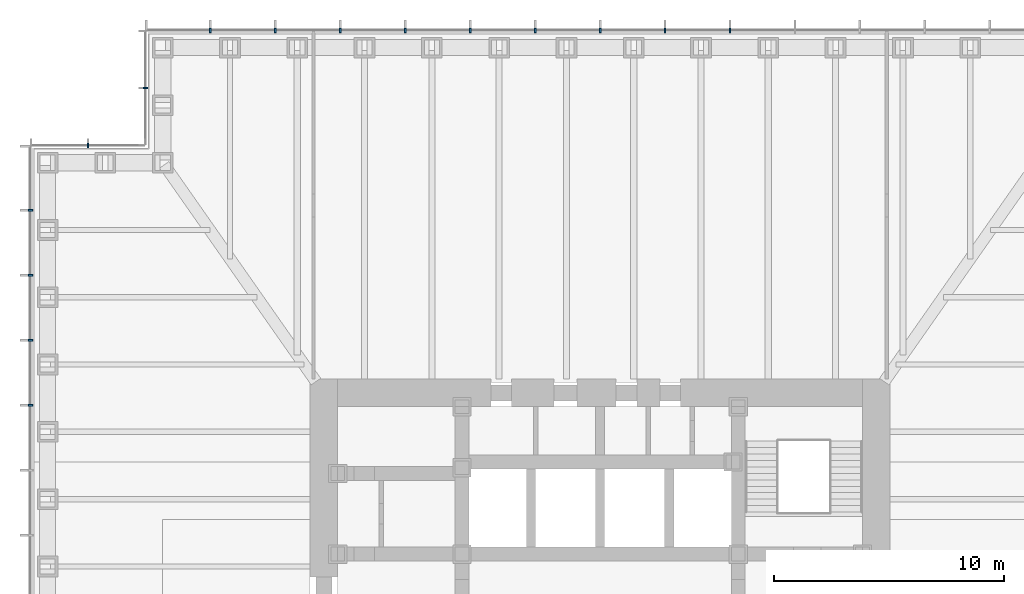
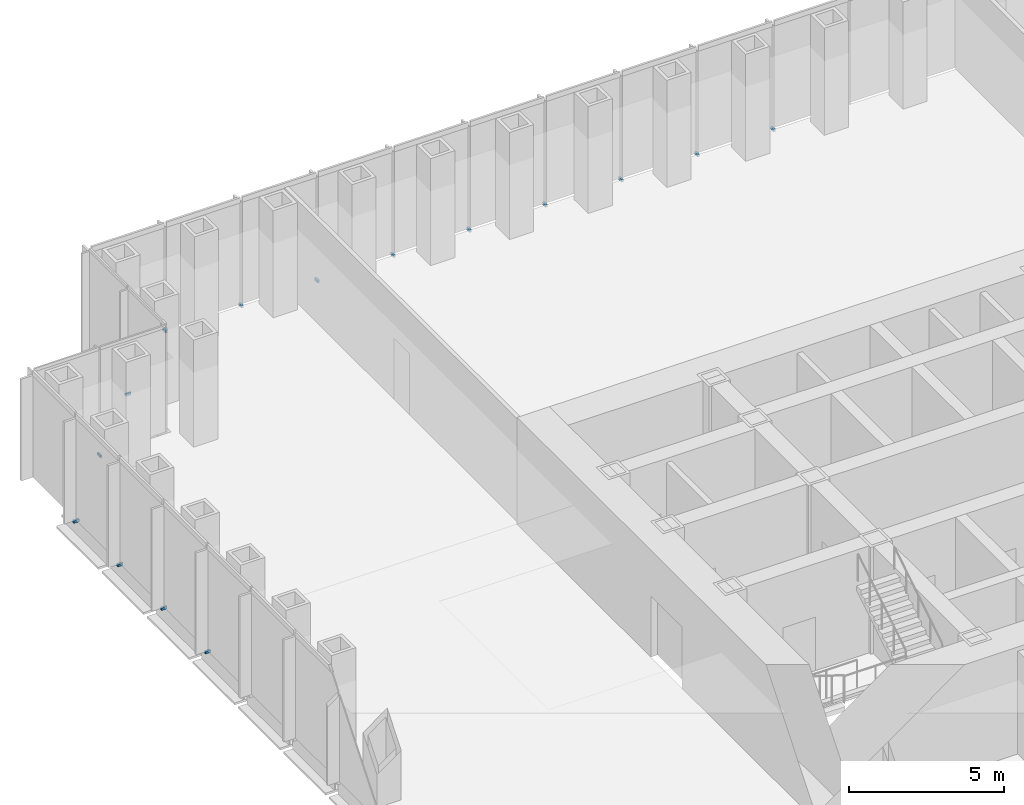
# One storey, part 14 of 16: 15 discrete accessories.
"""IFC4 building model written with IfcOpenShell, lengths in metres."""

from ifc_helpers import new_model, si_unit, direction, frame, origin, origin_2d, place, context, subcontext, project, spatial, rectangle, extrude, element, save


model = new_model("IFC4")

# Units and contexts
model_context = context("Model", 3, precision=1e-05, world=origin(), true_north=direction((0.0, 1.0)))
body_context = subcontext(model_context, "Body", "Model", "MODEL_VIEW")
ifc_project = project(units=[si_unit("LENGTHUNIT", "METRE"), si_unit("AREAUNIT", "SQUARE_METRE"), si_unit("VOLUMEUNIT", "CUBIC_METRE"), si_unit("PLANEANGLEUNIT", "RADIAN"), si_unit("MASSUNIT", "GRAM", prefix="KILO")], contexts=[model_context])

# Site, building, storey
site_placement = place(None, origin())
site = spatial("IfcSite", under=ifc_project, at=site_placement, CompositionType="ELEMENT")
building_placement = place(site_placement, origin())
building = spatial("IfcBuilding", under=site, at=building_placement, Name="Daluyong Arena Tower", CompositionType="ELEMENT")
storey_placement = place(building_placement, frame((0.0, 0.0, 72.699951171875)))
storey = spatial("IfcBuildingStorey", under=building, at=storey_placement, Name="L15", CompositionType="ELEMENT", Elevation=72.699951171875)

# Discrete accessories
for number, where, z_axis, x_axis, name in (
    (1, (61.642822265625, 104.75, -0.10009765625), (0.0, 0.0, 1.0), (-1.0, 0.0, 0.0), "curtain wall L15 N anchor bracket 6"),
    (2, (58.821533203125, 104.75, -0.10009765625), (0.0, 0.0, 1.0), (-1.0, 0.0, 0.0), "curtain wall L15 N anchor bracket 7"),
    (3, (56.0, 104.75, -0.10009765625), (0.0, 0.0, 1.0), (-1.0, 0.0, 0.0), "curtain wall L15 N anchor bracket 8"),
    (4, (53.178466796875, 104.75, -0.10009765625), (0.0, 0.0, 1.0), (-1.0, 0.0, 0.0), "curtain wall L15 N anchor bracket 9"),
    (5, (50.357177734375, 104.75, -0.10009765625), (0.0, 0.0, 1.0), (-1.0, 0.0, 0.0), "curtain wall L15 N anchor bracket 10"),
    (6, (47.53564453125, 104.75, -0.10009765625), (0.0, 0.0, 1.0), (-1.0, 0.0, 0.0), "curtain wall L15 N anchor bracket 11"),
    (7, (44.71435546875, 104.75, -0.10009765625), (0.0, 0.0, 1.0), (-1.0, 0.0, 0.0), "curtain wall L15 N anchor bracket 12"),
    (8, (41.892822265625, 104.75, -0.10009765625), (0.0, 0.0, 1.0), (-1.0, 0.0, 0.0), "curtain wall L15 N anchor bracket 13"),
    (9, (39.071533203125, 104.75, -0.10009765625), (0.0, 0.0, 1.0), (-1.0, 0.0, 0.0), "curtain wall L15 N anchor bracket 14"),
):
    element("IfcDiscreteAccessory", number, at=place(storey_placement, frame(where, z_axis=z_axis, x_axis=x_axis)), inside=storey, Name=name, PredefinedType="BRACKET", context=body_context, shape_type="SweptSolid", body=[
        extrude(rectangle(XDim=0.080078125, YDim=0.199951171875, at=origin_2d()), origin(), (0.0, 0.0, 1.0), 0.10009765625),
    ])
for number, where, z_axis, x_axis, name in (
    (10, (36.25, 102.25, -0.10009765625), (0.0, 0.0, 1.0), (0.0, -1.0, 0.0), "curtain wall L15 NW-W anchor bracket 2"),
    (11, (33.75, 99.75, -0.10009765625), (0.0, 0.0, 1.0), (-1.0, 0.0, 0.0), "curtain wall L15 NW-N anchor bracket 2"),
):
    element("IfcDiscreteAccessory", number, at=place(storey_placement, frame(where, z_axis=z_axis, x_axis=x_axis)), inside=storey, Name=name, PredefinedType="BRACKET", context=body_context, shape_type="SweptSolid", body=[
        extrude(rectangle(XDim=0.06005859375, YDim=0.199951171875, at=origin_2d()), origin(), (0.0, 0.0, 1.0), 0.10009765625),
    ])
for number, where, z_axis, x_axis, name in (
    (12, (31.25, 96.928466796875, -0.10009765625), (0.0, 0.0, 1.0), (0.0, -1.0, 0.0), "curtain wall L15 W anchor bracket 2"),
    (13, (31.25, 94.107177734375, -0.10009765625), (0.0, 0.0, 1.0), (0.0, -1.0, 0.0), "curtain wall L15 W anchor bracket 3"),
    (14, (31.25, 91.28564453125, -0.10009765625), (0.0, 0.0, 1.0), (0.0, -1.0, 0.0), "curtain wall L15 W anchor bracket 4"),
    (15, (31.25, 88.46435546875, -0.10009765625), (0.0, 0.0, 1.0), (0.0, -1.0, 0.0), "curtain wall L15 W anchor bracket 5"),
):
    element("IfcDiscreteAccessory", number, at=place(storey_placement, frame(where, z_axis=z_axis, x_axis=x_axis)), inside=storey, Name=name, PredefinedType="BRACKET", context=body_context, shape_type="SweptSolid", body=[
        extrude(rectangle(XDim=0.080078125, YDim=0.199951171875, at=origin_2d()), origin(), (0.0, 0.0, 1.0), 0.10009765625),
    ])

save(model, "model.ifc")
